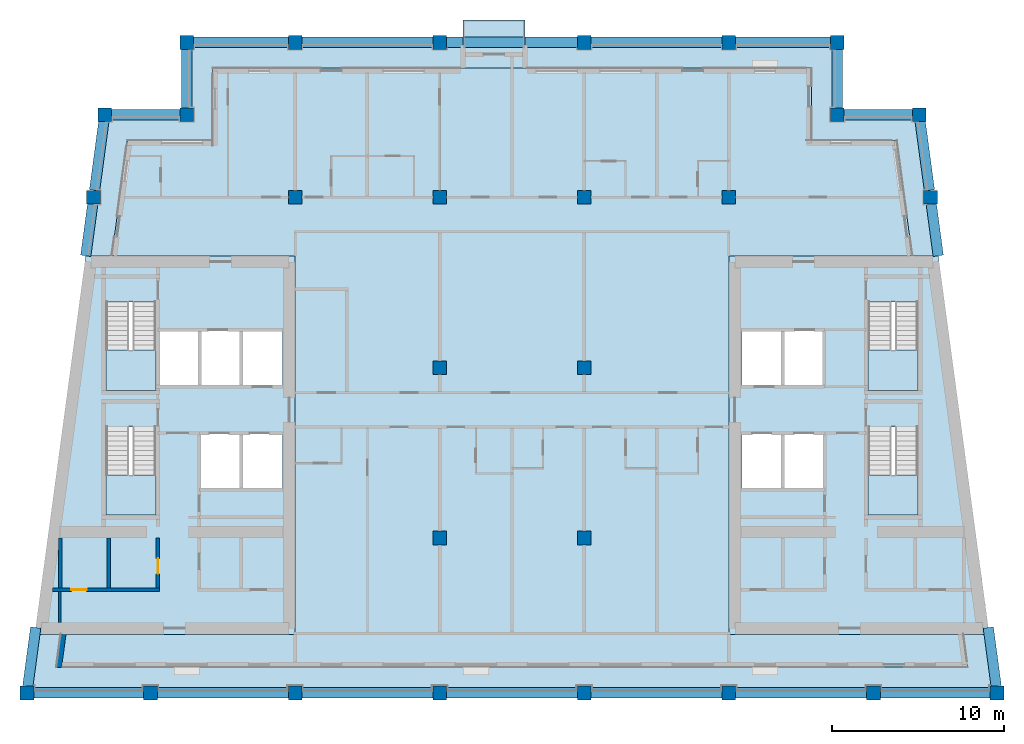
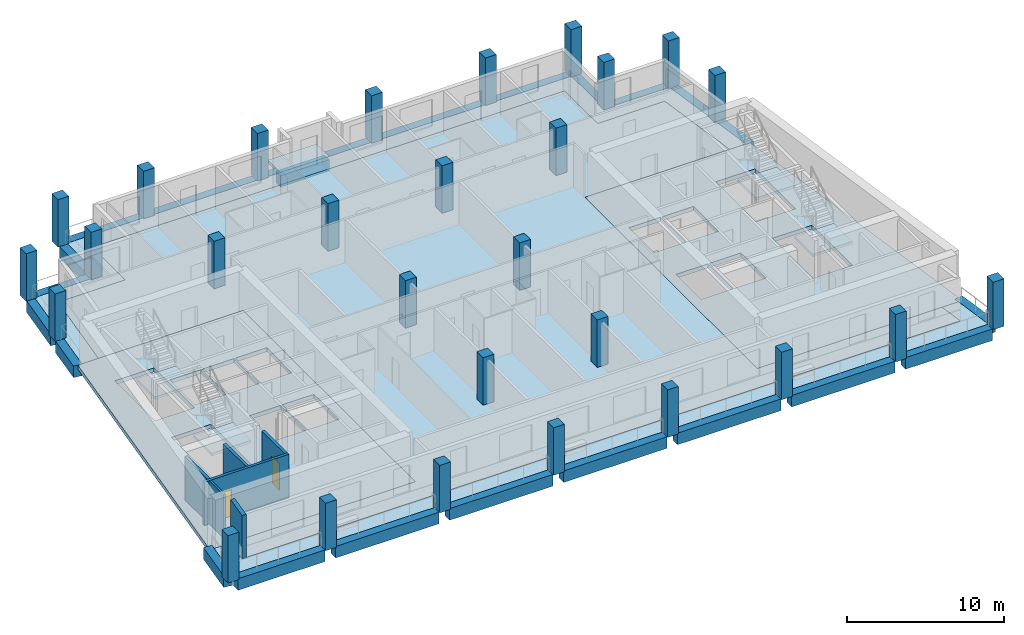
# One storey, part 1 of 14: 28 columns, 24 beams, 10 slabs, 6 walls, 2 doors, 2 openings, 4 elements without a shape of their own.
"""IFC4 building model written with IfcOpenShell, lengths in metres."""

from ifc_helpers import new_model, si_unit, direction, frame, frame_2d, origin, origin_2d, place, context, subcontext, project, spatial, polyline, rectangle, outline, extrude, material, layer, layer_set, material_profile, profile_set, type_object, element, fill, aggregate, save


model = new_model("IFC4")

# Units and contexts
model_context = context("Model", 3, precision=1e-05, world=origin(), true_north=direction((0.0, 1.0)))
body_context = subcontext(model_context, "Body", "Model", "MODEL_VIEW")
ifc_project = project(units=[si_unit("LENGTHUNIT", "METRE"), si_unit("AREAUNIT", "SQUARE_METRE"), si_unit("VOLUMEUNIT", "CUBIC_METRE"), si_unit("PLANEANGLEUNIT", "RADIAN"), si_unit("MASSUNIT", "GRAM", prefix="KILO")], contexts=[model_context])

# Site, building, storey
site_placement = place(None, origin())
site = spatial("IfcSite", under=ifc_project, at=site_placement, CompositionType="ELEMENT")
building_placement = place(site_placement, origin())
building = spatial("IfcBuilding", under=site, at=building_placement, Name="Candeia Pilgrim Tower and Theatre", CompositionType="ELEMENT")
storey_placement = place(building_placement, frame((0.0, 0.0, 273.800048828125)))
storey = spatial("IfcBuildingStorey", under=building, at=storey_placement, Name="L66", CompositionType="ELEMENT", Elevation=273.800048828125)

# Columns
ifc_material_1 = material(Name="Concrete C40/50", Category="concrete")
ifc_material_profile_1 = material_profile(ifc_material_1, rectangle(XDim=0.800048828125, YDim=0.800048828125, at=origin_2d()))
ifc_profile_set_1 = profile_set([ifc_material_profile_1], Name="Concrete C40/50")
column_type = type_object("IfcColumnType", Name="RC 800x800 C40/50", PredefinedType="COLUMN", material=ifc_profile_set_1)
for number, where, z_axis, x_axis, name in (
    (1, (94.5, 140.60009765625, 0.0), (0.0, 0.0, 1.0), (1.0, 0.0, 0.0), "Column NNW"),
    (2, (132.300048828125, 140.60009765625, 0.0), (0.0, 0.0, 1.0), (1.0, 0.0, 0.0), "Column NNE"),
    (3, (89.734619140625, 140.60009765625, 0.0), (0.0, 0.0, 1.0), (1.0, 0.0, 0.0), "Column LNW"),
    (4, (137.0654296875, 140.60009765625, 0.0), (0.0, 0.0, 1.0), (1.0, 0.0, 0.0), "Column LNE"),
    (5, (92.39990234375, 107.0, 0.0), (0.0, 0.0, 1.0), (1.0, 0.0, 0.0), "Column B1"),
    (6, (100.800048828125, 107.0, 0.0), (0.0, 0.0, 1.0), (1.0, 0.0, 0.0), "Column B2"),
    (7, (109.199951171875, 107.0, 0.0), (0.0, 0.0, 1.0), (1.0, 0.0, 0.0), "Column B3"),
    (8, (117.60009765625, 107.0, 0.0), (0.0, 0.0, 1.0), (1.0, 0.0, 0.0), "Column B4"),
    (9, (126.0, 107.0, 0.0), (0.0, 0.0, 1.0), (1.0, 0.0, 0.0), "Column B5"),
    (10, (134.39990234375, 107.0, 0.0), (0.0, 0.0, 1.0), (1.0, 0.0, 0.0), "Column B6"),
    (11, (85.21142578125, 107.0, 0.0), (0.0, 0.0, 1.0), (1.0, 0.0, 0.0), "Column BW"),
    (12, (141.58837890625, 107.0, 0.0), (0.0, 0.0, 1.0), (1.0, 0.0, 0.0), "Column BE"),
    (13, (109.199951171875, 116.0, 0.0), (0.0, 0.0, 1.0), (1.0, 0.0, 0.0), "Column C3"),
    (14, (117.60009765625, 116.0, 0.0), (0.0, 0.0, 1.0), (1.0, 0.0, 0.0), "Column C4"),
    (15, (109.199951171875, 125.89990234375, 0.0), (0.0, 0.0, 1.0), (1.0, 0.0, 0.0), "Column D3"),
    (16, (117.60009765625, 125.89990234375, 0.0), (0.0, 0.0, 1.0), (1.0, 0.0, 0.0), "Column D4"),
    (17, (100.800048828125, 135.800048828125, 0.0), (0.0, 0.0, 1.0), (1.0, 0.0, 0.0), "Column E2"),
    (18, (109.199951171875, 135.800048828125, 0.0), (0.0, 0.0, 1.0), (1.0, 0.0, 0.0), "Column E3"),
    (19, (117.60009765625, 135.800048828125, 0.0), (0.0, 0.0, 1.0), (1.0, 0.0, 0.0), "Column E4"),
    (20, (126.0, 135.800048828125, 0.0), (0.0, 0.0, 1.0), (1.0, 0.0, 0.0), "Column E5"),
    (21, (89.08837890625, 135.800048828125, 0.0), (0.0, 0.0, 1.0), (1.0, 0.0, 0.0), "Column EW"),
    (22, (137.71142578125, 135.800048828125, 0.0), (0.0, 0.0, 1.0), (1.0, 0.0, 0.0), "Column EE"),
    (23, (100.800048828125, 144.800048828125, 0.0), (0.0, 0.0, 1.0), (1.0, 0.0, 0.0), "Column F2"),
    (24, (109.199951171875, 144.800048828125, 0.0), (0.0, 0.0, 1.0), (1.0, 0.0, 0.0), "Column F3"),
    (25, (117.60009765625, 144.800048828125, 0.0), (0.0, 0.0, 1.0), (1.0, 0.0, 0.0), "Column F4"),
    (26, (126.0, 144.800048828125, 0.0), (0.0, 0.0, 1.0), (1.0, 0.0, 0.0), "Column F5"),
    (27, (94.5, 144.800048828125, 0.0), (0.0, 0.0, 1.0), (1.0, 0.0, 0.0), "Column FW"),
    (28, (132.300048828125, 144.800048828125, 0.0), (0.0, 0.0, 1.0), (1.0, 0.0, 0.0), "Column FE"),
):
    element("IfcColumn", number, at=place(storey_placement, frame(where, z_axis=z_axis, x_axis=x_axis)), inside=storey, type_object=column_type, Name=name, PredefinedType="COLUMN", context=body_context, shape_type="SweptSolid", body=[
        extrude(rectangle(XDim=0.800048828125, YDim=0.800048828125, at=origin_2d()), origin(), (0.0, 0.0, 1.0), 3.699951171875),
    ])

# Beams
ifc_material_profile_2 = material_profile(ifc_material_1, rectangle(XDim=0.60009765625, YDim=0.89990234375, at=origin_2d()))
ifc_profile_set_2 = profile_set([ifc_material_profile_2], Name="Concrete C40/50")
beam_type = type_object("IfcBeamType", Name="RC 600x900 C40/50", PredefinedType="BEAM", material=ifc_profile_set_2)
beam_1_placement = place(storey_placement, frame((90.134521484375, 140.60009765625, -0.449951171875), z_axis=(1.0, 0.0, 0.0), x_axis=(0.0, 1.0, 0.0)))
element("IfcBeam", 29, at=beam_1_placement, inside=storey, type_object=beam_type, Name="Spandrel beam L66-01", PredefinedType="BEAM", context=body_context, shape_type="SweptSolid", body=[
    extrude(rectangle(XDim=0.60009765625, YDim=0.89990234375, at=origin_2d()), origin(), (0.0, 0.0, 1.0), 3.965576171875),
])
beam_2_placement = place(storey_placement, frame((94.5, 141.0, -0.449951171875), z_axis=(0.0, 1.0, 0.0), x_axis=(-1.0, 0.0, 0.0)))
element("IfcBeam", 30, at=beam_2_placement, inside=storey, type_object=beam_type, Name="Spandrel beam L66-02", PredefinedType="BEAM", context=body_context, shape_type="SweptSolid", body=[
    extrude(rectangle(XDim=0.60009765625, YDim=0.89990234375, at=origin_2d()), origin(), (0.0, 0.0, 1.0), 3.39990234375),
])
beam_3_placement = place(storey_placement, frame((94.89990234375, 144.800048828125, -0.449951171875), z_axis=(1.0, 0.0, 0.0), x_axis=(0.0, 1.0, 0.0)))
element("IfcBeam", 31, at=beam_3_placement, inside=storey, type_object=beam_type, Name="Spandrel beam L66-03", PredefinedType="BEAM", context=body_context, shape_type="SweptSolid", body=[
    extrude(rectangle(XDim=0.60009765625, YDim=0.89990234375, at=origin_2d()), origin(), (0.0, 0.0, 1.0), 5.5),
])
beam_4_placement = place(storey_placement, frame((101.199951171875, 144.800048828125, -0.449951171875), z_axis=(1.0, 0.0, 0.0), x_axis=(0.0, 1.0, 0.0)))
element("IfcBeam", 32, at=beam_4_placement, inside=storey, type_object=beam_type, Name="Spandrel beam L66-04", PredefinedType="BEAM", context=body_context, shape_type="SweptSolid", body=[
    extrude(rectangle(XDim=0.60009765625, YDim=0.89990234375, at=origin_2d()), origin(), (0.0, 0.0, 1.0), 7.60009765625),
])
beam_5_placement = place(storey_placement, frame((109.60009765625, 144.800048828125, -0.449951171875), z_axis=(1.0, 0.0, 0.0), x_axis=(0.0, 1.0, 0.0)))
element("IfcBeam", 33, at=beam_5_placement, inside=storey, type_object=beam_type, Name="Spandrel beam L66-05", PredefinedType="BEAM", context=body_context, shape_type="SweptSolid", body=[
    extrude(rectangle(XDim=0.60009765625, YDim=0.89990234375, at=origin_2d()), origin(), (0.0, 0.0, 1.0), 0.949951171875),
])
beam_6_placement = place(storey_placement, frame((110.550048828125, 144.800048828125, -0.699951171875), z_axis=(1.0, 0.0, 0.0), x_axis=(0.0, 1.0, 0.0)))
element("IfcBeam", 34, at=beam_6_placement, inside=storey, type_object=beam_type, Name="Spandrel beam L66-06", PredefinedType="BEAM", context=body_context, shape_type="SweptSolid", body=[
    extrude(rectangle(XDim=0.60009765625, YDim=0.89990234375, at=origin_2d()), origin(), (0.0, 0.0, 1.0), 3.599853515625),
])
beam_7_placement = place(storey_placement, frame((114.14990234375, 144.800048828125, -0.449951171875), z_axis=(1.0, 0.0, 0.0), x_axis=(0.0, 1.0, 0.0)))
element("IfcBeam", 35, at=beam_7_placement, inside=storey, type_object=beam_type, Name="Spandrel beam L66-07", PredefinedType="BEAM", context=body_context, shape_type="SweptSolid", body=[
    extrude(rectangle(XDim=0.60009765625, YDim=0.89990234375, at=origin_2d()), origin(), (0.0, 0.0, 1.0), 3.050048828125),
])
beam_8_placement = place(storey_placement, frame((118.0, 144.800048828125, -0.449951171875), z_axis=(1.0, 0.0, 0.0), x_axis=(0.0, 1.0, 0.0)))
element("IfcBeam", 36, at=beam_8_placement, inside=storey, type_object=beam_type, Name="Spandrel beam L66-08", PredefinedType="BEAM", context=body_context, shape_type="SweptSolid", body=[
    extrude(rectangle(XDim=0.60009765625, YDim=0.89990234375, at=origin_2d()), origin(), (0.0, 0.0, 1.0), 7.60009765625),
])
beam_9_placement = place(storey_placement, frame((126.39990234375, 144.800048828125, -0.449951171875), z_axis=(1.0, 0.0, 0.0), x_axis=(0.0, 1.0, 0.0)))
element("IfcBeam", 37, at=beam_9_placement, inside=storey, type_object=beam_type, Name="Spandrel beam L66-09", PredefinedType="BEAM", context=body_context, shape_type="SweptSolid", body=[
    extrude(rectangle(XDim=0.60009765625, YDim=0.89990234375, at=origin_2d()), origin(), (0.0, 0.0, 1.0), 5.5),
])
beam_10_placement = place(storey_placement, frame((132.300048828125, 144.39990234375, -0.449951171875), z_axis=(0.0, -1.0, 0.0), x_axis=(1.0, 0.0, 0.0)))
element("IfcBeam", 38, at=beam_10_placement, inside=storey, type_object=beam_type, Name="Spandrel beam L66-10", PredefinedType="BEAM", context=body_context, shape_type="SweptSolid", body=[
    extrude(rectangle(XDim=0.60009765625, YDim=0.89990234375, at=origin_2d()), origin(), (0.0, 0.0, 1.0), 3.39990234375),
])
beam_11_placement = place(storey_placement, frame((132.699951171875, 140.60009765625, -0.449951171875), z_axis=(1.0, 0.0, 0.0), x_axis=(0.0, 1.0, 0.0)))
element("IfcBeam", 39, at=beam_11_placement, inside=storey, type_object=beam_type, Name="Spandrel beam L66-11", PredefinedType="BEAM", context=body_context, shape_type="SweptSolid", body=[
    extrude(rectangle(XDim=0.60009765625, YDim=0.89990234375, at=origin_2d()), origin(), (0.0, 0.0, 1.0), 3.96533203125),
])
beam_12_placement = place(storey_placement, frame((137.119140625, 140.199951171875, -0.449951171875), z_axis=(0.133439433328, -0.991056969923, 0.0), x_axis=(0.991056969923, 0.133439433328, 0.0)))
element("IfcBeam", 40, at=beam_12_placement, inside=storey, type_object=beam_type, Name="Spandrel beam L66-12", PredefinedType="BEAM", context=body_context, shape_type="SweptSolid", body=[
    extrude(rectangle(XDim=0.60009765625, YDim=0.89990234375, at=origin_2d()), origin(), (0.0, 0.0, 1.0), 4.0361328125),
])
beam_13_placement = place(storey_placement, frame((137.765380859375, 135.39990234375, -0.449951171875), z_axis=(0.133399824849, -0.991062302144, 0.0), x_axis=(0.991062302144, 0.133399824849, 0.0)))
element("IfcBeam", 41, at=beam_13_placement, inside=storey, type_object=beam_type, Name="Spandrel beam L66-13", PredefinedType="BEAM", context=body_context, shape_type="SweptSolid", body=[
    extrude(rectangle(XDim=0.60009765625, YDim=0.89990234375, at=origin_2d()), origin(), (0.0, 0.0, 1.0), 3.027099609375),
])
beam_14_placement = place(storey_placement, frame((141.077392578125, 110.796630859375, -0.449951171875), z_axis=(0.133418739522, -0.991059755991, 0.0), x_axis=(0.991059755991, 0.133418739522, 0.0)))
element("IfcBeam", 42, at=beam_14_placement, inside=storey, type_object=beam_type, Name="Spandrel beam L66-14", PredefinedType="BEAM", context=body_context, shape_type="SweptSolid", body=[
    extrude(rectangle(XDim=0.60009765625, YDim=0.89990234375, at=origin_2d()), origin(), (0.0, 0.0, 1.0), 3.427490234375),
])
beam_15_placement = place(storey_placement, frame((141.1884765625, 107.0, -0.449951171875), z_axis=(-1.0, 0.0, 0.0), x_axis=(0.0, -1.0, 0.0)))
element("IfcBeam", 43, at=beam_15_placement, inside=storey, type_object=beam_type, Name="Spandrel beam L66-15", PredefinedType="BEAM", context=body_context, shape_type="SweptSolid", body=[
    extrude(rectangle(XDim=0.60009765625, YDim=0.89990234375, at=origin_2d()), origin(), (0.0, 0.0, 1.0), 6.388427734375),
])
for number, where, z_axis, x_axis, name in (
    (44, (134.0, 107.0, -0.449951171875), (-1.0, 0.0, 0.0), (0.0, -1.0, 0.0), "Spandrel beam L66-16"),
    (45, (125.60009765625, 107.0, -0.449951171875), (-1.0, 0.0, 0.0), (0.0, -1.0, 0.0), "Spandrel beam L66-17"),
):
    element("IfcBeam", number, at=place(storey_placement, frame(where, z_axis=z_axis, x_axis=x_axis)), inside=storey, type_object=beam_type, Name=name, PredefinedType="BEAM", context=body_context, shape_type="SweptSolid", body=[
        extrude(rectangle(XDim=0.60009765625, YDim=0.89990234375, at=origin_2d()), origin(), (0.0, 0.0, 1.0), 7.60009765625),
    ])
beam_16_placement = place(storey_placement, frame((117.199951171875, 107.0, -0.449951171875), z_axis=(-1.0, 0.0, 0.0), x_axis=(0.0, -1.0, 0.0)))
element("IfcBeam", 46, at=beam_16_placement, inside=storey, type_object=beam_type, Name="Spandrel beam L66-18", PredefinedType="BEAM", context=body_context, shape_type="SweptSolid", body=[
    extrude(rectangle(XDim=0.60009765625, YDim=0.89990234375, at=origin_2d()), origin(), (0.0, 0.0, 1.0), 7.599853515625),
])
beam_17_placement = place(storey_placement, frame((108.800048828125, 107.0, -0.449951171875), z_axis=(-1.0, 0.0, 0.0), x_axis=(0.0, -1.0, 0.0)))
element("IfcBeam", 47, at=beam_17_placement, inside=storey, type_object=beam_type, Name="Spandrel beam L66-19", PredefinedType="BEAM", context=body_context, shape_type="SweptSolid", body=[
    extrude(rectangle(XDim=0.60009765625, YDim=0.89990234375, at=origin_2d()), origin(), (0.0, 0.0, 1.0), 7.60009765625),
])
beam_18_placement = place(storey_placement, frame((100.39990234375, 107.0, -0.449951171875), z_axis=(-1.0, 0.0, 0.0), x_axis=(0.0, -1.0, 0.0)))
element("IfcBeam", 48, at=beam_18_placement, inside=storey, type_object=beam_type, Name="Spandrel beam L66-20", PredefinedType="BEAM", context=body_context, shape_type="SweptSolid", body=[
    extrude(rectangle(XDim=0.60009765625, YDim=0.89990234375, at=origin_2d()), origin(), (0.0, 0.0, 1.0), 7.599853515625),
])
beam_19_placement = place(storey_placement, frame((92.0, 107.0, -0.449951171875), z_axis=(-1.0, 0.0, 0.0), x_axis=(0.0, -1.0, 0.0)))
element("IfcBeam", 49, at=beam_19_placement, inside=storey, type_object=beam_type, Name="Spandrel beam L66-21", PredefinedType="BEAM", context=body_context, shape_type="SweptSolid", body=[
    extrude(rectangle(XDim=0.60009765625, YDim=0.89990234375, at=origin_2d()), origin(), (0.0, 0.0, 1.0), 6.388427734375),
])
beam_20_placement = place(storey_placement, frame((85.265380859375, 107.39990234375, -0.449951171875), z_axis=(0.133418739522, 0.991059755991, 0.0), x_axis=(-0.991059755991, 0.133418739522, 0.0)))
element("IfcBeam", 50, at=beam_20_placement, inside=storey, type_object=beam_type, Name="Spandrel beam L66-22", PredefinedType="BEAM", context=body_context, shape_type="SweptSolid", body=[
    extrude(rectangle(XDim=0.60009765625, YDim=0.89990234375, at=origin_2d()), origin(), (0.0, 0.0, 1.0), 3.427490234375),
])
beam_21_placement = place(storey_placement, frame((88.630859375, 132.39990234375, -0.449951171875), z_axis=(0.133399824849, 0.991062302144, 0.0), x_axis=(-0.991062302144, 0.133399824849, 0.0)))
element("IfcBeam", 51, at=beam_21_placement, inside=storey, type_object=beam_type, Name="Spandrel beam L66-23", PredefinedType="BEAM", context=body_context, shape_type="SweptSolid", body=[
    extrude(rectangle(XDim=0.60009765625, YDim=0.89990234375, at=origin_2d()), origin(), (0.0, 0.0, 1.0), 3.027099609375),
])
beam_22_placement = place(storey_placement, frame((89.142333984375, 136.199951171875, -0.449951171875), z_axis=(0.13338002037, 0.991064967682, 0.0), x_axis=(-0.991064967682, 0.13338002037, 0.0)))
element("IfcBeam", 52, at=beam_22_placement, inside=storey, type_object=beam_type, Name="Spandrel beam L66-24", PredefinedType="BEAM", context=body_context, shape_type="SweptSolid", body=[
    extrude(rectangle(XDim=0.60009765625, YDim=0.89990234375, at=origin_2d()), origin(), (0.0, 0.0, 1.0), 4.0361328125),
])

# Slabs
ifc_layer_1 = layer(ifc_material_1, 0.25)
ifc_layer_set_1 = layer_set([ifc_layer_1], Name="BK1 balcony slab 250")
slab_type_1 = type_object("IfcSlabType", Name="BK1 balcony slab 250", PredefinedType="USERDEFINED", material=ifc_layer_set_1)
slab_1_placement = place(storey_placement, frame((0.0, 0.0, -0.25)))
element("IfcSlab", 53, at=slab_1_placement, inside=storey, type_object=slab_type_1, Name="Balcony L66", ObjectType="BALCONY", PredefinedType="USERDEFINED", context=body_context, shape_type="SweptSolid", body=[
    extrude(outline(polyline([(110.550048828125, 144.5), (114.14990234375, 144.5), (114.14990234375, 146.10009765625), (110.550048828125, 146.10009765625), (110.550048828125, 144.5)])), origin(), (0.0, 0.0, 1.0), 0.25),
])
ifc_material_2 = material(Name="Concrete C60/75", Category="concrete")
ifc_layer_2 = layer(ifc_material_2, 0.320068359375)
ifc_layer_set_2 = layer_set([ifc_layer_2], Name="FS-CORE 320 core floor")
slab_type_2 = type_object("IfcSlabType", Name="FS-CORE 320 core floor", PredefinedType="FLOOR", material=ifc_layer_set_2)
slab_2_placement = place(storey_placement, frame((0.0, 0.0, -0.320068359375)))
element("IfcSlab", 54, at=slab_2_placement, inside=storey, type_object=slab_type_2, Name="Core floor W L66", PredefinedType="FLOOR", context=body_context, shape_type="SweptSolid", body=[
    extrude(outline(polyline([(100.800048828125, 132.39990234375), (100.800048828125, 110.39990234375), (85.669189453125, 110.39990234375), (88.630859375, 132.39990234375), (100.800048828125, 132.39990234375)]), holes=[polyline([(97.71337890625, 122.050048828125), (97.71337890625, 118.85009765625), (100.050048828125, 118.85009765625), (100.050048828125, 122.050048828125), (97.71337890625, 122.050048828125)]), polyline([(97.7255859375, 128.050048828125), (97.7255859375, 124.85009765625), (100.050048828125, 124.85009765625), (100.050048828125, 128.050048828125), (97.7255859375, 128.050048828125)]), polyline([(95.30126953125, 128.050048828125), (95.30126953125, 124.85009765625), (97.625732421875, 124.85009765625), (97.625732421875, 128.050048828125), (95.30126953125, 128.050048828125)]), polyline([(95.277099609375, 122.050048828125), (95.277099609375, 118.85009765625), (97.613525390625, 118.85009765625), (97.613525390625, 122.050048828125), (95.277099609375, 122.050048828125)]), polyline([(92.876953125, 128.050048828125), (92.876953125, 124.85009765625), (95.201416015625, 124.85009765625), (95.201416015625, 128.050048828125), (92.876953125, 128.050048828125)]), polyline([(89.802001953125, 117.324951171875), (92.701904296875, 117.324951171875), (92.701904296875, 122.455078125), (89.802001953125, 122.455078125), (89.802001953125, 117.324951171875)]), polyline([(89.802001953125, 129.705078125), (89.802001953125, 124.574951171875), (92.701904296875, 124.574951171875), (92.701904296875, 129.705078125), (89.802001953125, 129.705078125)])]), origin(), (0.0, 0.0, 1.0), 0.320068359375),
])
slab_3_placement = place(storey_placement, frame((0.0, 0.0, -0.320068359375)))
element("IfcSlab", 55, at=slab_3_placement, inside=storey, type_object=slab_type_2, Name="Core floor E L66", PredefinedType="FLOOR", context=body_context, shape_type="SweptSolid", body=[
    extrude(outline(polyline([(138.169189453125, 132.39990234375), (141.130859375, 110.39990234375), (126.0, 110.39990234375), (126.0, 132.39990234375), (138.169189453125, 132.39990234375)]), holes=[polyline([(134.097900390625, 117.324951171875), (136.998046875, 117.324951171875), (136.998046875, 122.455078125), (134.097900390625, 122.455078125), (134.097900390625, 117.324951171875)]), polyline([(134.097900390625, 129.705078125), (134.097900390625, 124.574951171875), (136.998046875, 124.574951171875), (136.998046875, 129.705078125), (134.097900390625, 129.705078125)]), polyline([(131.52294921875, 122.050048828125), (129.1865234375, 122.050048828125), (129.1865234375, 118.85009765625), (131.52294921875, 118.85009765625), (131.52294921875, 122.050048828125)]), polyline([(131.498779296875, 128.050048828125), (129.17431640625, 128.050048828125), (129.17431640625, 124.85009765625), (131.498779296875, 124.85009765625), (131.498779296875, 128.050048828125)]), polyline([(129.08642578125, 122.050048828125), (126.75, 122.050048828125), (126.75, 118.85009765625), (129.08642578125, 118.85009765625), (129.08642578125, 122.050048828125)]), polyline([(126.75, 128.050048828125), (126.75, 124.85009765625), (129.07421875, 124.85009765625), (129.07421875, 128.050048828125), (126.75, 128.050048828125)])]), origin(), (0.0, 0.0, 1.0), 0.320068359375),
])
ifc_material_3 = material(Name="Concrete C50/60", Category="concrete")
ifc_layer_3 = layer(ifc_material_3, 0.320068359375)
ifc_layer_set_3 = layer_set([ifc_layer_3], Name="Floor slab 320 C50/60")
slab_type_3 = type_object("IfcSlabType", Name="Floor slab 320 C50/60", PredefinedType="FLOOR", material=ifc_layer_set_3)
slab_4_placement = place(storey_placement, frame((0.0, 0.0, -0.320068359375)))
element("IfcSlab", 56, at=slab_4_placement, inside=storey, type_object=slab_type_3, Name="Floor slab L66", PredefinedType="FLOOR", context=body_context, shape_type="SweptSolid", body=[
    extrude(outline(polyline([(96.0, 139.10009765625), (96.0, 143.300048828125), (130.800048828125, 143.300048828125), (130.800048828125, 139.10009765625), (135.753662109375, 139.10009765625), (136.65576171875, 132.39990234375), (126.0, 132.39990234375), (126.0, 110.39990234375), (139.6171875, 110.39990234375), (139.873046875, 108.5), (86.927001953125, 108.5), (87.182861328125, 110.39990234375), (100.800048828125, 110.39990234375), (100.800048828125, 132.39990234375), (90.144287109375, 132.39990234375), (91.046142578125, 139.10009765625), (96.0, 139.10009765625)])), origin(), (0.0, 0.0, 1.0), 0.320068359375),
])
ifc_layer_4 = layer(ifc_material_1, 0.25)
ifc_layer_set_4 = layer_set([ifc_layer_4], Name="Loggia slab 250 C40/50")
slab_type_4 = type_object("IfcSlabType", Name="Loggia slab 250 C40/50", PredefinedType="FLOOR", material=ifc_layer_set_4)
slab_5_placement = place(storey_placement, frame((0.0, 0.0, -0.25)))
element("IfcSlab", 57, at=slab_5_placement, inside=storey, type_object=slab_type_4, Name="Loggia slab L66 1", PredefinedType="FLOOR", context=body_context, shape_type="SweptSolid", body=[
    extrude(outline(polyline([(86.927001953125, 108.5), (139.873046875, 108.5), (139.6171875, 110.39990234375), (140.828125, 110.39990234375), (141.245361328125, 107.300048828125), (85.5546875, 107.300048828125), (85.971923828125, 110.39990234375), (87.182861328125, 110.39990234375), (86.927001953125, 108.5)])), origin(), (0.0, 0.0, 1.0), 0.25),
])
slab_6_placement = place(storey_placement, frame((0.0, 0.0, -0.25)))
element("IfcSlab", 58, at=slab_6_placement, inside=storey, type_object=slab_type_4, Name="Loggia slab L66 2", PredefinedType="FLOOR", context=body_context, shape_type="SweptSolid", body=[
    extrude(outline(polyline([(136.65576171875, 132.39990234375), (135.753662109375, 139.10009765625), (130.800048828125, 139.10009765625), (130.800048828125, 143.300048828125), (96.0, 143.300048828125), (96.0, 139.10009765625), (91.046142578125, 139.10009765625), (90.144287109375, 132.39990234375), (88.93359375, 132.39990234375), (89.996826171875, 140.300048828125), (94.800048828125, 140.300048828125), (94.800048828125, 144.5), (132.0, 144.5), (132.0, 140.300048828125), (136.802978515625, 140.300048828125), (137.866455078125, 132.39990234375), (136.65576171875, 132.39990234375)])), origin(), (0.0, 0.0, 1.0), 0.25),
])

# Stair, slab
stair_type = type_object("IfcStairType", Name="ST-TWR dog-leg escape stair", PredefinedType="HALF_TURN_STAIR", material=ifc_material_1)
stair_1_placement = place(storey_placement, origin())
stair_1 = element("IfcStair", 59, at=stair_1_placement, inside=storey, type_object=stair_type, Name="L66 Escape stair ST1", PredefinedType="HALF_TURN_STAIR")
ifc_layer_5 = layer(ifc_material_1, 0.199951171875)
ifc_layer_set_5 = layer_set([ifc_layer_5], Name="SL-LANDING stair landing")
slab_type_5 = type_object("IfcSlabType", Name="SL-LANDING stair landing", PredefinedType="LANDING", material=ifc_layer_set_5)
slab_7_placement = place(storey_placement, frame((0.0, 0.0, 1.64990234375)))
slab_7 = element("IfcSlab", 60, at=slab_7_placement, type_object=slab_type_5, Name="ST1 landing 1", PredefinedType="LANDING", context=body_context, shape_type="SweptSolid", body=[
    extrude(outline(polyline([(89.802001953125, 119.675048828125), (89.802001953125, 117.324951171875), (92.701904296875, 117.324951171875), (92.701904296875, 119.675048828125), (89.802001953125, 119.675048828125)])), origin(), (0.0, 0.0, 1.0), 0.199951171875),
])
aggregate(stair_1, [slab_7])

stair_2_placement = place(storey_placement, origin())
stair_2 = element("IfcStair", 61, at=stair_2_placement, inside=storey, type_object=stair_type, Name="L66 Escape stair ST2", PredefinedType="HALF_TURN_STAIR")
slab_8_placement = place(storey_placement, frame((0.0, 0.0, 1.64990234375)))
slab_8 = element("IfcSlab", 62, at=slab_8_placement, type_object=slab_type_5, Name="ST2 landing 1", PredefinedType="LANDING", context=body_context, shape_type="SweptSolid", body=[
    extrude(outline(polyline([(89.802001953125, 126.925048828125), (89.802001953125, 124.574951171875), (92.701904296875, 124.574951171875), (92.701904296875, 126.925048828125), (89.802001953125, 126.925048828125)])), origin(), (0.0, 0.0, 1.0), 0.199951171875),
])
aggregate(stair_2, [slab_8])

stair_3_placement = place(storey_placement, origin())
stair_3 = element("IfcStair", 63, at=stair_3_placement, inside=storey, type_object=stair_type, Name="L66 Escape stair ST3", PredefinedType="HALF_TURN_STAIR")
slab_9_placement = place(storey_placement, frame((0.0, 0.0, 1.64990234375)))
slab_9 = element("IfcSlab", 64, at=slab_9_placement, type_object=slab_type_5, Name="ST3 landing 1", PredefinedType="LANDING", context=body_context, shape_type="SweptSolid", body=[
    extrude(outline(polyline([(134.097900390625, 119.675048828125), (134.097900390625, 117.324951171875), (136.998046875, 117.324951171875), (136.998046875, 119.675048828125), (134.097900390625, 119.675048828125)])), origin(), (0.0, 0.0, 1.0), 0.199951171875),
])
aggregate(stair_3, [slab_9])

stair_4_placement = place(storey_placement, origin())
stair_4 = element("IfcStair", 65, at=stair_4_placement, inside=storey, type_object=stair_type, Name="L66 Escape stair ST4", PredefinedType="HALF_TURN_STAIR")
slab_10_placement = place(storey_placement, frame((0.0, 0.0, 1.64990234375)))
slab_10 = element("IfcSlab", 66, at=slab_10_placement, type_object=slab_type_5, Name="ST4 landing 1", PredefinedType="LANDING", context=body_context, shape_type="SweptSolid", body=[
    extrude(outline(polyline([(134.097900390625, 126.925048828125), (134.097900390625, 124.574951171875), (136.998046875, 124.574951171875), (136.998046875, 126.925048828125), (134.097900390625, 126.925048828125)])), origin(), (0.0, 0.0, 1.0), 0.199951171875),
])
aggregate(stair_4, [slab_10])

# Walls
ifc_material_4 = material(Name="Ceramic block masonry", Category="masonry")
ifc_layer_6 = layer(ifc_material_4, 0.300048828125)
ifc_layer_set_6 = layer_set([ifc_layer_6], Name="EW1 glazing-line wall 300")
wall_type_1 = type_object("IfcWallType", Name="EW1 glazing-line wall 300", PredefinedType="SOLIDWALL", material=ifc_layer_set_6)
wall_1_placement = place(storey_placement, frame((87.334228515625, 110.39990234375, 0.0), z_axis=(0.0, 0.0, 1.0), x_axis=(-0.13345962011, -0.991054251694, 0.0)))
element("IfcWall", 67, at=wall_1_placement, inside=storey, type_object=wall_type_1, Name="External wall L66-0.1", PredefinedType="SOLIDWALL", context=body_context, shape_type="SweptSolid", body=[
    extrude(rectangle(XDim=1.937255859375, YDim=0.300048828125, at=frame_2d((0.96875, 0.0))), origin(), (0.0, 0.0, 1.0), 3.3798828125),
])
ifc_material_5 = material(Name="Gypsum board partition on steel studs", Category="steel")
ifc_layer_7 = layer(ifc_material_5, 0.14990234375)
ifc_layer_set_7 = layer_set([ifc_layer_7], Name="PW-150 lobby wall")
wall_type_2 = type_object("IfcWallType", Name="PW-150 lobby wall", PredefinedType="PARTITIONING", material=ifc_layer_set_7)
wall_2_placement = place(storey_placement, frame((87.126953125, 111.10009765625, 0.0), z_axis=(0.0, 0.0, 1.0), x_axis=(0.0, 1.0, 0.0)))
element("IfcWall", 68, at=wall_2_placement, inside=storey, type_object=wall_type_2, Name="Lobby wall L66-045", PredefinedType="PARTITIONING", context=body_context, shape_type="SweptSolid", body=[
    extrude(rectangle(XDim=1.7998046875, YDim=0.14990234375, at=frame_2d((0.89990234375, 0.0))), origin(), (0.0, 0.0, 1.0), 3.3798828125),
])

# Wall, opening, door
ifc_layer_8 = layer(ifc_material_1, 0.199951171875)
ifc_layer_set_8 = layer_set([ifc_layer_8], Name="SW-200 shaft wall")
wall_type_3 = type_object("IfcWallType", Name="SW-200 shaft wall", PredefinedType="PARTITIONING", material=ifc_layer_set_8)
wall_3_placement = place(storey_placement, frame((86.695556640625, 113.0, 0.0), z_axis=(0.0, 0.0, 1.0), x_axis=(1.0, 0.0, 0.0)))
wall_3 = element("IfcWall", 69, at=wall_3_placement, inside=storey, type_object=wall_type_3, Name="Shaft wall L66-002", PredefinedType="PARTITIONING", context=body_context, shape_type="SweptSolid", body=[
    extrude(rectangle(XDim=6.2314453125, YDim=0.199951171875, at=frame_2d((3.11572265625, 0.0))), origin(), (0.0, 0.0, 1.0), 3.3798828125),
])
opening_1_placement = place(wall_3_placement, frame((1.094482421875, 0.0, 0.0)))
opening_1 = element("IfcOpeningElement", 70, at=opening_1_placement, cuts=wall_3, Name="Opening L66-D005", PredefinedType="OPENING", context=body_context, shape_type="SweptSolid", body=[
    extrude(rectangle(XDim=0.89990234375, YDim=2.10009765625, at=frame_2d((0.449951171875, 1.050048828125))), frame((0.0, 0.10986328125, 0.0), z_axis=(0.0, -1.0, 0.0), x_axis=(1.0, 0.0, 0.0)), (0.0, 0.0, 1.0), 0.219970703125),
])
ifc_material_6 = material(Name="Steel fire door set", Category="steel")
door_type = type_object("IfcDoorType", Name="D-900-FD60", OperationType="NOTDEFINED", PredefinedType="DOOR", material=ifc_material_6)
door_1_placement = place(opening_1_placement, origin())
door_1 = element("IfcDoor", 71, at=door_1_placement, inside=storey, type_object=door_type, Name="Door L66-D005", OperationType="SINGLE_SWING_LEFT", OverallHeight=2.10009765625, OverallWidth=0.89990234375, PredefinedType="DOOR", context=body_context, shape_type="SweptSolid", body=[
    extrude(rectangle(XDim=0.89990234375, YDim=2.10009765625, at=frame_2d((0.449951171875, 1.050048828125))), frame((0.0, 0.02490234375, 0.0), z_axis=(0.0, -1.0, 0.0), x_axis=(1.0, 0.0, 0.0)), (0.0, 0.0, 1.0), 0.050048828125),
])
fill(opening_1, door_1)

# Walls
for number, where, z_axis, x_axis, name in (
    (72, (87.1484375, 113.10009765625, 0.0), (0.0, 0.0, 1.0), (0.0, 1.0, 0.0), "Shaft wall L66-044"),
    (73, (89.97705078125, 113.10009765625, 0.0), (0.0, 0.0, 1.0), (0.0, 1.0, 0.0), "Shaft wall L66-048"),
):
    element("IfcWall", number, at=place(storey_placement, frame(where, z_axis=z_axis, x_axis=x_axis)), inside=storey, type_object=wall_type_3, Name=name, PredefinedType="PARTITIONING", context=body_context, shape_type="SweptSolid", body=[
        extrude(rectangle(XDim=2.89990234375, YDim=0.199951171875, at=frame_2d((1.449951171875, 0.0))), origin(), (0.0, 0.0, 1.0), 3.3798828125),
    ])

# Wall, opening, door
wall_4_placement = place(storey_placement, frame((92.826904296875, 113.10009765625, 0.0), z_axis=(0.0, 0.0, 1.0), x_axis=(0.0, 1.0, 0.0)))
wall_4 = element("IfcWall", 74, at=wall_4_placement, inside=storey, type_object=wall_type_3, Name="Shaft wall L66-049", PredefinedType="PARTITIONING", context=body_context, shape_type="SweptSolid", body=[
    extrude(rectangle(XDim=2.89990234375, YDim=0.199951171875, at=frame_2d((1.449951171875, 0.0))), origin(), (0.0, 0.0, 1.0), 3.3798828125),
])
opening_2_placement = place(wall_4_placement, frame((0.81005859375, 0.0, 0.0)))
opening_2 = element("IfcOpeningElement", 75, at=opening_2_placement, cuts=wall_4, Name="Opening L66-D006", PredefinedType="OPENING", context=body_context, shape_type="SweptSolid", body=[
    extrude(rectangle(XDim=0.89990234375, YDim=2.10009765625, at=frame_2d((0.449951171875, 1.050048828125))), frame((0.0, 0.10986328125, 0.0), z_axis=(0.0, -1.0, 0.0), x_axis=(1.0, 0.0, 0.0)), (0.0, 0.0, 1.0), 0.219970703125),
])
door_2_placement = place(opening_2_placement, origin())
door_2 = element("IfcDoor", 76, at=door_2_placement, inside=storey, type_object=door_type, Name="Door L66-D006", OperationType="SINGLE_SWING_RIGHT", OverallHeight=2.10009765625, OverallWidth=0.89990234375, PredefinedType="DOOR", context=body_context, shape_type="SweptSolid", body=[
    extrude(rectangle(XDim=0.89990234375, YDim=2.10009765625, at=frame_2d((0.449951171875, 1.050048828125))), frame((0.0, 0.02490234375, 0.0), z_axis=(0.0, -1.0, 0.0), x_axis=(1.0, 0.0, 0.0)), (0.0, 0.0, 1.0), 0.050048828125),
])
fill(opening_2, door_2)

save(model, "model.ifc")
